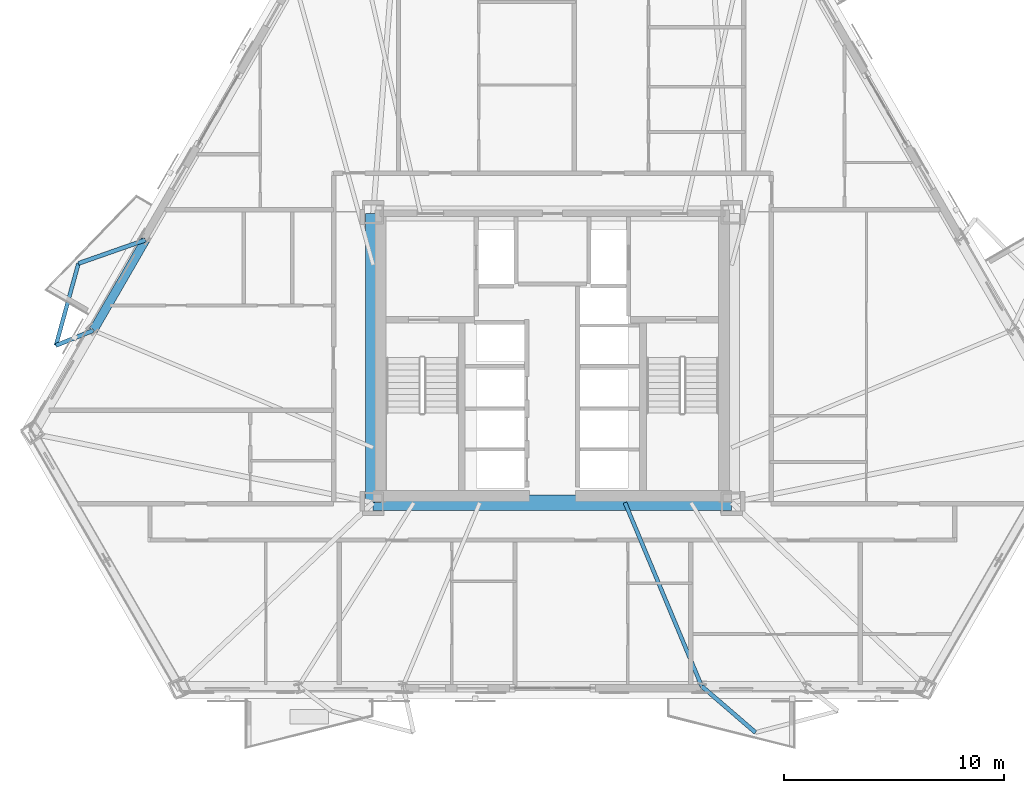
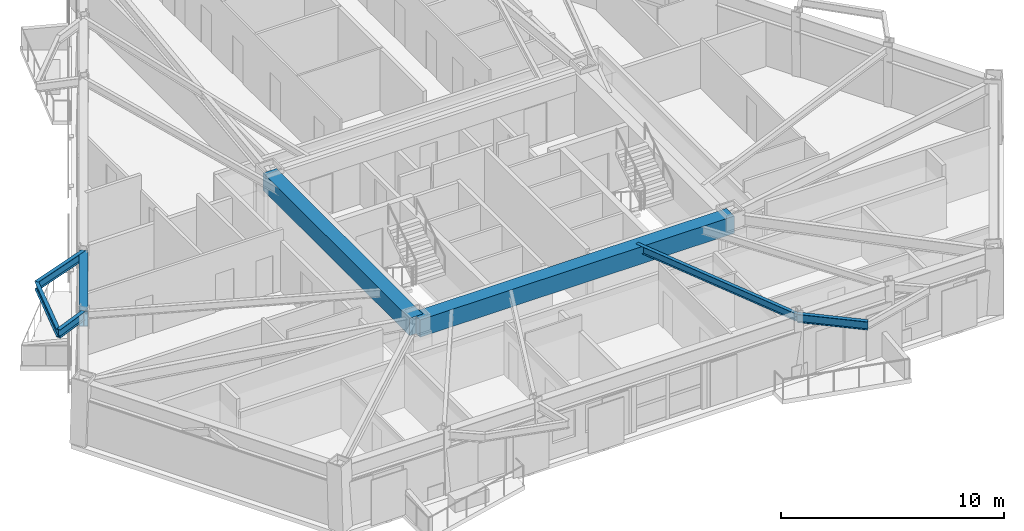
# One storey, part 4 of 17: 8 beams.
"""IFC4 building model written with IfcOpenShell, lengths in metres."""

from ifc_helpers import new_model, si_unit, direction, frame, origin, origin_2d, place, context, subcontext, project, spatial, rectangle, i_section, extrude, material, material_profile, profile_set, type_object, element, save


model = new_model("IFC4")

# Units and contexts
model_context = context("Model", 3, precision=1e-05, world=origin(), true_north=direction((0.0, 1.0)))
body_context = subcontext(model_context, "Body", "Model", "MODEL_VIEW")
ifc_project = project(units=[si_unit("LENGTHUNIT", "METRE"), si_unit("AREAUNIT", "SQUARE_METRE"), si_unit("VOLUMEUNIT", "CUBIC_METRE"), si_unit("PLANEANGLEUNIT", "RADIAN"), si_unit("MASSUNIT", "GRAM", prefix="KILO")], contexts=[model_context])

# Site, building, storey
site_placement = place(None, origin())
site = spatial("IfcSite", under=ifc_project, at=site_placement, CompositionType="ELEMENT")
building_placement = place(site_placement, origin())
building = spatial("IfcBuilding", under=site, at=building_placement, Name="Oramaril Tower", CompositionType="ELEMENT")
storey_placement = place(building_placement, frame((0.0, 0.0, 70.5)))
storey = spatial("IfcBuildingStorey", under=building, at=storey_placement, Name="L18", CompositionType="ELEMENT", Elevation=70.5)

# Beams
ifc_material_1 = material(Name="Steel ASTM A572 Gr 50", Category="steel")
ifc_material_profile_1 = material_profile(ifc_material_1, i_section(OverallWidth=0.19091796875, OverallDepth=0.45703125, WebThickness=0.009033203125, FlangeThickness=0.014404296875, at=origin_2d()), Name="W18X50")
ifc_profile_set_1 = profile_set([ifc_material_profile_1], Name="Steel ASTM A572 Gr 50")
beam_type_1 = type_object("IfcBeamType", Name="BT-BB1", PredefinedType="BEAM", material=ifc_profile_set_1)
for number, where, z_axis, x_axis, name in (
    (1, (44.28759765625, 2.654296875, 3.131591796875), (0.758039534893, -0.652208604312, 0.0), (0.652208604312, 0.758039534893, 0.0), "L18 Balcony Column-Framed Cantilever 02.1"),
    (2, (18.997802734375, 22.944580078125, 3.131591796875), (-0.943840690352, -0.330400894726, 0.0), (0.330400894726, -0.943840690352, 0.0), "L18 Balcony Column-Framed Cantilever 06.1"),
):
    element("IfcBeam", number, at=place(storey_placement, frame(where, z_axis=z_axis, x_axis=x_axis)), inside=storey, type_object=beam_type_1, Name=name, PredefinedType="BEAM", context=body_context, shape_type="SweptSolid", body=[
        extrude(i_section(OverallWidth=0.19091796875, OverallDepth=0.45703125, WebThickness=0.009033203125, FlangeThickness=0.014404296875, at=origin_2d()), origin(), (0.0, 0.0, 1.0), 3.23193359375),
    ])
beam_1_placement = place(storey_placement, frame((16.622314453125, 18.829833984375, 3.131591796875), z_axis=(-0.927295235927, -0.374330796792, 0.0), x_axis=(0.374330796792, -0.927295235927, 0.0)))
element("IfcBeam", 3, at=beam_1_placement, inside=storey, type_object=beam_type_1, Name="L18 Balcony Column-Framed Cantilever 06.2", PredefinedType="BEAM", context=body_context, shape_type="SweptSolid", body=[
    extrude(i_section(OverallWidth=0.19091796875, OverallDepth=0.45703125, WebThickness=0.009033203125, FlangeThickness=0.014404296875, at=origin_2d()), origin(), (0.0, 0.0, 1.0), 1.831298828125),
])
ifc_material_2 = material(Name="Concrete C50/60", Category="concrete")
ifc_material_profile_2 = material_profile(ifc_material_2, rectangle(XDim=0.699951171875, YDim=0.949951171875, at=origin_2d()), Name="CB700X950")
ifc_profile_set_2 = profile_set([ifc_material_profile_2], Name="Concrete C50/60")
beam_type_2 = type_object("IfcBeamType", Name="BT-CB1", PredefinedType="BEAM", material=ifc_profile_set_2)
beam_2_placement = place(storey_placement, frame((29.35009765625, 11.0, 2.885009765625), z_axis=(1.0, 0.0, 0.0), x_axis=(0.0, 1.0, 0.0)))
element("IfcBeam", 4, at=beam_2_placement, inside=storey, type_object=beam_type_2, Name="L18 Core Header Beam CB-1", PredefinedType="BEAM", context=body_context, shape_type="SweptSolid", body=[
    extrude(rectangle(XDim=0.699951171875, YDim=0.949951171875, at=origin_2d()), origin(), (0.0, 0.0, 1.0), 16.2998046875),
])
beam_3_placement = place(storey_placement, frame((29.35009765625, 24.14990234375, 2.885009765625), z_axis=(0.0, -1.0, 0.0), x_axis=(1.0, 0.0, 0.0)))
element("IfcBeam", 5, at=beam_3_placement, inside=storey, type_object=beam_type_2, Name="L18 Core Header Beam CB-4", PredefinedType="BEAM", context=body_context, shape_type="SweptSolid", body=[
    extrude(rectangle(XDim=0.699951171875, YDim=0.949951171875, at=origin_2d()), origin(), (0.0, 0.0, 1.0), 13.14990234375),
])
ifc_material_3 = material(Name="Steel ASTM A572 Gr 50", Category="steel")
ifc_material_profile_3 = material_profile(ifc_material_3, i_section(OverallWidth=0.177978515625, OverallDepth=0.404052734375, WebThickness=0.007568359375, FlangeThickness=0.010986328125, at=origin_2d()), Name="W16X36")
ifc_profile_set_3 = profile_set([ifc_material_profile_3], Name="Steel ASTM A572 Gr 50")
beam_type_3 = type_object("IfcBeamType", Name="BT-SB1", PredefinedType="BEAM", material=ifc_profile_set_3)
beam_4_placement = place(storey_placement, frame((40.800048828125, 11.0, 3.157958984375), z_axis=(0.385573455163, -0.922677143249, 0.0), x_axis=(0.922677143249, 0.385573455163, 0.0)))
element("IfcBeam", 6, at=beam_4_placement, inside=storey, type_object=beam_type_3, Name="L18 Secondary Floor Beam SB-03", PredefinedType="BEAM", context=body_context, shape_type="SweptSolid", body=[
    extrude(i_section(OverallWidth=0.177978515625, OverallDepth=0.404052734375, WebThickness=0.007568359375, FlangeThickness=0.010986328125, at=origin_2d()), origin(), (0.0, 0.0, 1.0), 9.045166015625),
])
beam_5_placement = place(storey_placement, frame((15.947265625, 21.876708984375, 3.157958984375), z_axis=(-0.264382243015, -0.964417974521, 0.0), x_axis=(0.964417974521, -0.264382243015, 0.0)))
element("IfcBeam", 7, at=beam_5_placement, inside=storey, type_object=beam_type_3, Name="L18 Balcony Edge Tie Beam 06", PredefinedType="BEAM", context=body_context, shape_type="SweptSolid", body=[
    extrude(i_section(OverallWidth=0.177978515625, OverallDepth=0.404052734375, WebThickness=0.007568359375, FlangeThickness=0.010986328125, at=origin_2d()), origin(), (0.0, 0.0, 1.0), 3.8701171875),
])
ifc_material_4 = material(Name="Steel ASTM A572 Gr 50", Category="steel")
ifc_material_profile_4 = material_profile(ifc_material_4, i_section(OverallWidth=0.40087890625, OverallDepth=0.85595703125, WebThickness=0.018310546875, FlangeThickness=0.029296875, at=origin_2d()), Name="W33X201")
ifc_profile_set_4 = profile_set([ifc_material_profile_4], Name="Steel ASTM A572 Gr 50")
beam_type_4 = type_object("IfcBeamType", Name="BT-SP1", PredefinedType="SPANDREL", material=ifc_profile_set_4)
beam_6_placement = place(storey_placement, frame((18.997802734375, 22.944580078125, 2.931884765625), z_axis=(-0.49997450891, -0.866040120572, 0.0), x_axis=(0.866040120572, -0.49997450891, 0.0)))
element("IfcBeam", 8, at=beam_6_placement, inside=storey, type_object=beam_type_4, Name="L18 Perimeter Spandrel 17", PredefinedType="SPANDREL", context=body_context, shape_type="SweptSolid", body=[
    extrude(i_section(OverallWidth=0.40087890625, OverallDepth=0.85595703125, WebThickness=0.018310546875, FlangeThickness=0.029296875, at=origin_2d()), origin(), (0.0, 0.0, 1.0), 4.751220703125),
])

save(model, "model.ifc")
